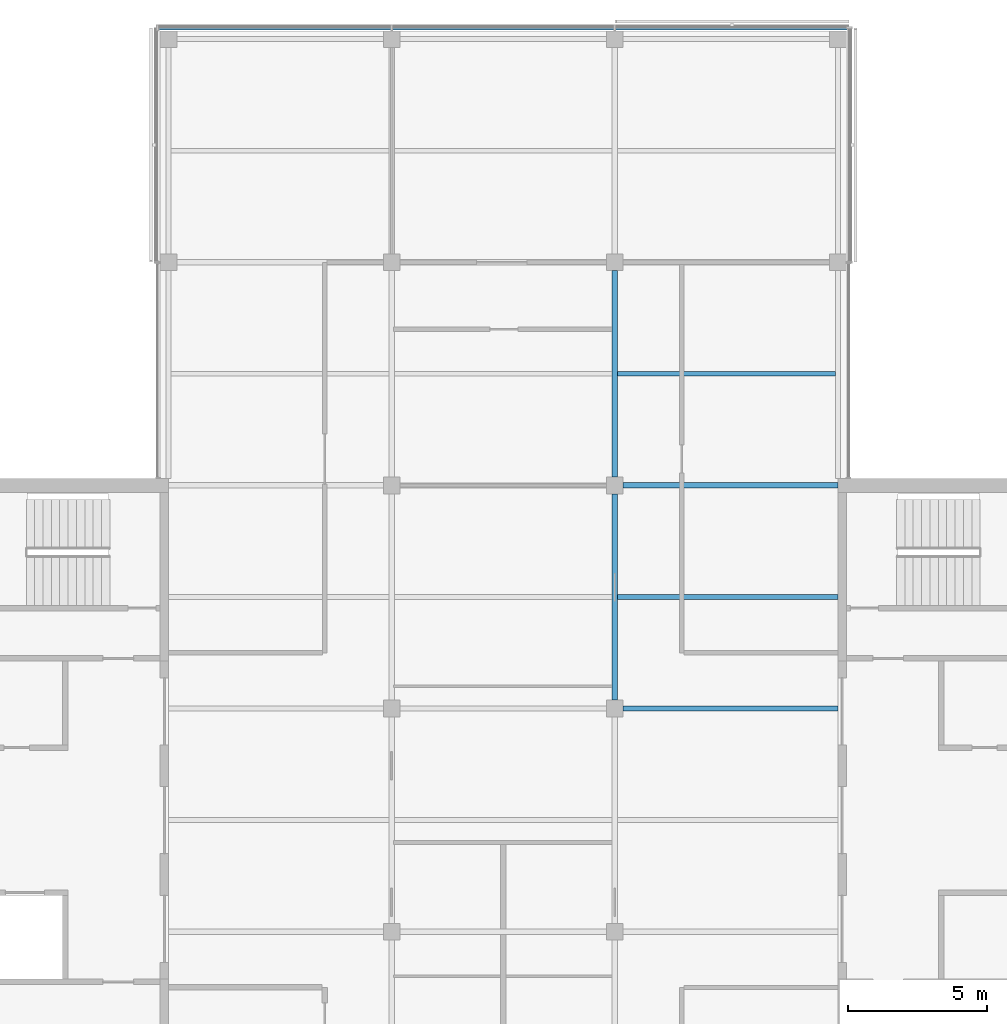
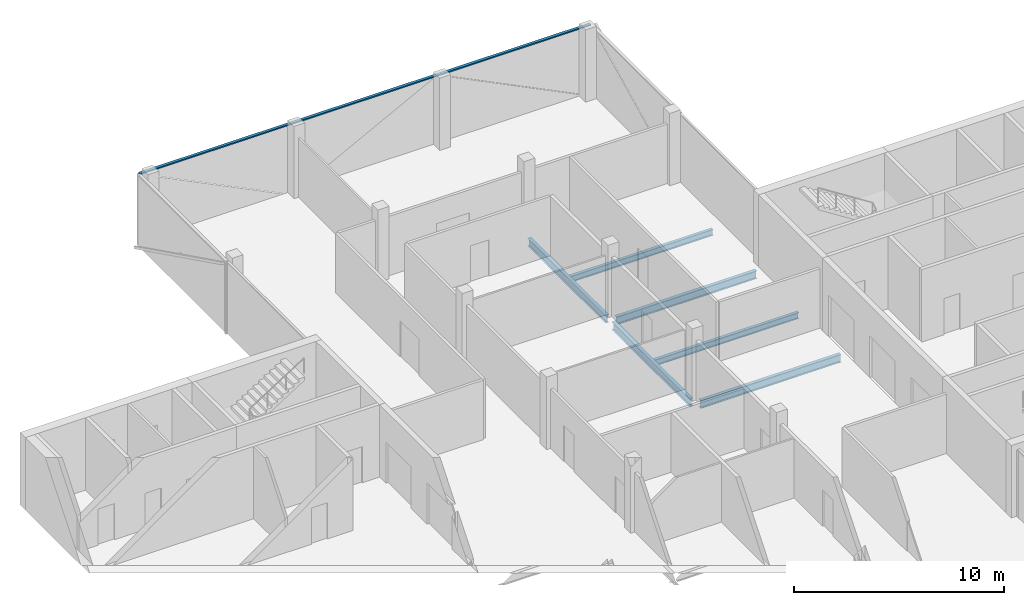
# One storey, part 6 of 15: 6 beams, 1 member, 1 element without a shape of its own.
"""IFC4 building model written with IfcOpenShell, lengths in metres."""

from ifc_helpers import new_model, si_unit, direction, frame, origin, origin_2d, place, context, subcontext, project, spatial, rectangle, i_section, extrude, material, material_profile, profile_set, type_object, element, aggregate, save


model = new_model("IFC4")

# Units and contexts
model_context = context("Model", 3, precision=1e-05, world=origin(), true_north=direction((0.0, 1.0)))
body_context = subcontext(model_context, "Body", "Model", "MODEL_VIEW")
ifc_project = project(units=[si_unit("LENGTHUNIT", "METRE"), si_unit("AREAUNIT", "SQUARE_METRE"), si_unit("VOLUMEUNIT", "CUBIC_METRE"), si_unit("PLANEANGLEUNIT", "RADIAN"), si_unit("MASSUNIT", "GRAM", prefix="KILO")], contexts=[model_context])

# Site, building, storey
site_placement = place(None, origin())
site = spatial("IfcSite", under=ifc_project, at=site_placement, CompositionType="ELEMENT")
building_placement = place(site_placement, origin())
building = spatial("IfcBuilding", under=site, at=building_placement, Name="Crosswind Convention Tower", CompositionType="ELEMENT")
storey_placement = place(building_placement, frame((0.0, 0.0, 319.699951171875)))
storey = spatial("IfcBuildingStorey", under=building, at=storey_placement, Name="L69", CompositionType="ELEMENT", Elevation=319.699951171875)

# Beams
ifc_material_1 = material(Name="Steel S355", Category="steel")
ifc_material_profile_1 = material_profile(ifc_material_1, i_section(OverallWidth=0.18994140625, OverallDepth=0.45361328125, WebThickness=0.008544921875, FlangeThickness=0.0126953125, FilletRadius=0.01025390625, at=origin_2d()), Name="UB 457x191x67")
ifc_profile_set_1 = profile_set([ifc_material_profile_1], Name="Steel S355")
beam_type_1 = type_object("IfcBeamType", Name="Girder UB 457x191x67", PredefinedType="BEAM", material=ifc_profile_set_1)
for number, where, z_axis, x_axis, name in (
    (1, (129.0, 104.300048828125, -0.52685546875), (0.0, 1.0, 0.0), (-1.0, 0.0, 0.0), "B1 L69 girder 20"),
    (2, (129.0, 112.300048828125, -0.52685546875), (0.0, 1.0, 0.0), (-1.0, 0.0, 0.0), "B1 L69 girder 21"),
):
    element("IfcBeam", number, at=place(storey_placement, frame(where, z_axis=z_axis, x_axis=x_axis)), inside=storey, type_object=beam_type_1, Name=name, PredefinedType="BEAM", context=body_context, shape_type="SweptSolid", body=[
        extrude(i_section(OverallWidth=0.18994140625, OverallDepth=0.45361328125, WebThickness=0.008544921875, FlangeThickness=0.0126953125, FilletRadius=0.01025390625, at=origin_2d()), origin(), (0.0, 0.0, 1.0), 7.39990234375),
    ])
ifc_material_profile_2 = material_profile(ifc_material_1, i_section(OverallWidth=0.1904296875, OverallDepth=0.457275390625, WebThickness=0.009033203125, FlangeThickness=0.014404296875, FilletRadius=0.01025390625, at=origin_2d()), Name="UB 457x191x75")
ifc_profile_set_2 = profile_set([ifc_material_profile_2], Name="Steel S355")
beam_type_2 = type_object("IfcBeamType", Name="Girder at core wall UB 457x191x75", PredefinedType="BEAM", material=ifc_profile_set_2)
for number, where, z_axis, x_axis, name in (
    (3, (129.300048828125, 104.0, -0.528564453125), (1.0, 0.0, 0.0), (0.0, 1.0, 0.0), "B22 L69 girder at core wall 7"),
    (4, (129.300048828125, 112.0, -0.528564453125), (1.0, 0.0, 0.0), (0.0, 1.0, 0.0), "B22 L69 girder at core wall 8"),
):
    element("IfcBeam", number, at=place(storey_placement, frame(where, z_axis=z_axis, x_axis=x_axis)), inside=storey, type_object=beam_type_2, Name=name, PredefinedType="BEAM", context=body_context, shape_type="SweptSolid", body=[
        extrude(i_section(OverallWidth=0.1904296875, OverallDepth=0.457275390625, WebThickness=0.009033203125, FlangeThickness=0.014404296875, FilletRadius=0.01025390625, at=origin_2d()), origin(), (0.0, 0.0, 1.0), 7.699951171875),
    ])
ifc_material_profile_3 = material_profile(ifc_material_1, i_section(OverallWidth=0.17138671875, OverallDepth=0.355712890625, WebThickness=0.00732421875, FlangeThickness=0.011474609375, FilletRadius=0.01025390625, at=origin_2d()), Name="UB 356x171x51")
ifc_profile_set_3 = profile_set([ifc_material_profile_3], Name="Steel S355")
beam_type_3 = type_object("IfcBeamType", Name="Secondary beam UB 356x171x51", PredefinedType="JOIST", material=ifc_profile_set_3)
beam_1_placement = place(storey_placement, frame((129.094970703125, 108.0, -0.477783203125), z_axis=(1.0, 0.0, 0.0), x_axis=(0.0, 1.0, 0.0)))
element("IfcBeam", 5, at=beam_1_placement, inside=storey, type_object=beam_type_3, Name="B8 L69 secondary beam 19", PredefinedType="JOIST", context=body_context, shape_type="SweptSolid", body=[
    extrude(i_section(OverallWidth=0.17138671875, OverallDepth=0.355712890625, WebThickness=0.00732421875, FlangeThickness=0.011474609375, FilletRadius=0.01025390625, at=origin_2d()), origin(), (0.0, 0.0, 1.0), 7.905029296875),
])
beam_2_placement = place(storey_placement, frame((129.094970703125, 116.0, -0.477783203125), z_axis=(1.0, 0.0, 0.0), x_axis=(0.0, 1.0, 0.0)))
element("IfcBeam", 6, at=beam_2_placement, inside=storey, type_object=beam_type_3, Name="B8 L69 secondary beam 20", PredefinedType="JOIST", context=body_context, shape_type="SweptSolid", body=[
    extrude(i_section(OverallWidth=0.17138671875, OverallDepth=0.355712890625, WebThickness=0.00732421875, FlangeThickness=0.011474609375, FilletRadius=0.01025390625, at=origin_2d()), origin(), (0.0, 0.0, 1.0), 7.816162109375),
])

# Curtain wall, member
ifc_material_2 = material(Name="Aluminium unitised curtain wall", Category="aluminium")
curtain_wall_type = type_object("IfcCurtainWallType", Name="OFFICE UNITISED WALL 220", PredefinedType="USERDEFINED", material=ifc_material_2)
curtain_wall_placement = place(storey_placement, origin())
curtain_wall = element("IfcCurtainWall", 7, at=curtain_wall_placement, inside=storey, type_object=curtain_wall_type, Name="CW3 L69 N-TIP 1", ObjectType="UNITISED", PredefinedType="USERDEFINED")
ifc_material_3 = material(Name="Aluminium transom", Category="aluminium")
ifc_material_profile_4 = material_profile(ifc_material_3, rectangle(XDim=0.159912109375, YDim=0.070068359375, at=origin_2d()), Name="AL 160X70")
ifc_profile_set_4 = profile_set([ifc_material_profile_4], Name="Aluminium transom")
member_type = type_object("IfcMemberType", Name="TRANSOM 70X160", PredefinedType="USERDEFINED", material=ifc_profile_set_4)
member_placement = place(storey_placement, frame((137.375, 128.409912109375, 3.864990234375), z_axis=(-1.0, 0.0, 0.0), x_axis=(0.0, -1.0, 0.0)))
member = element("IfcMember", 8, at=member_placement, type_object=member_type, Name="CW3 transom", ObjectType="TRANSOM", PredefinedType="USERDEFINED", context=body_context, shape_type="SweptSolid", body=[
    extrude(rectangle(XDim=0.159912109375, YDim=0.070068359375, at=origin_2d()), origin(), (0.0, 0.0, 1.0), 24.75),
])
aggregate(curtain_wall, [member])

save(model, "model.ifc")
